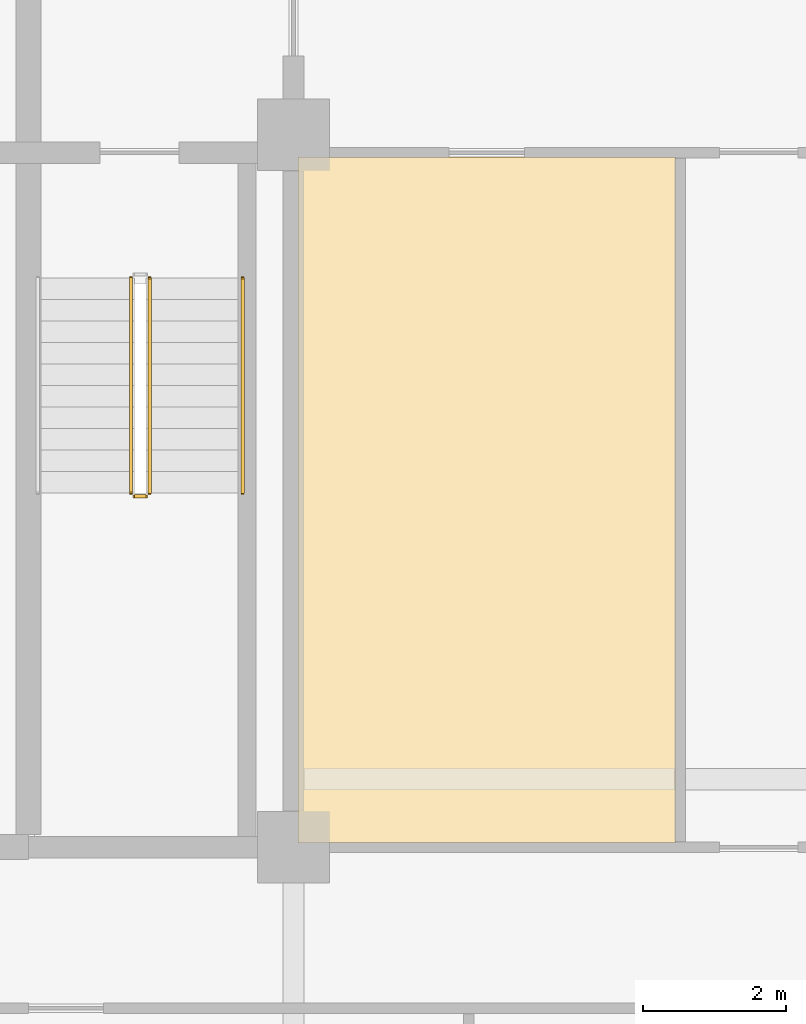
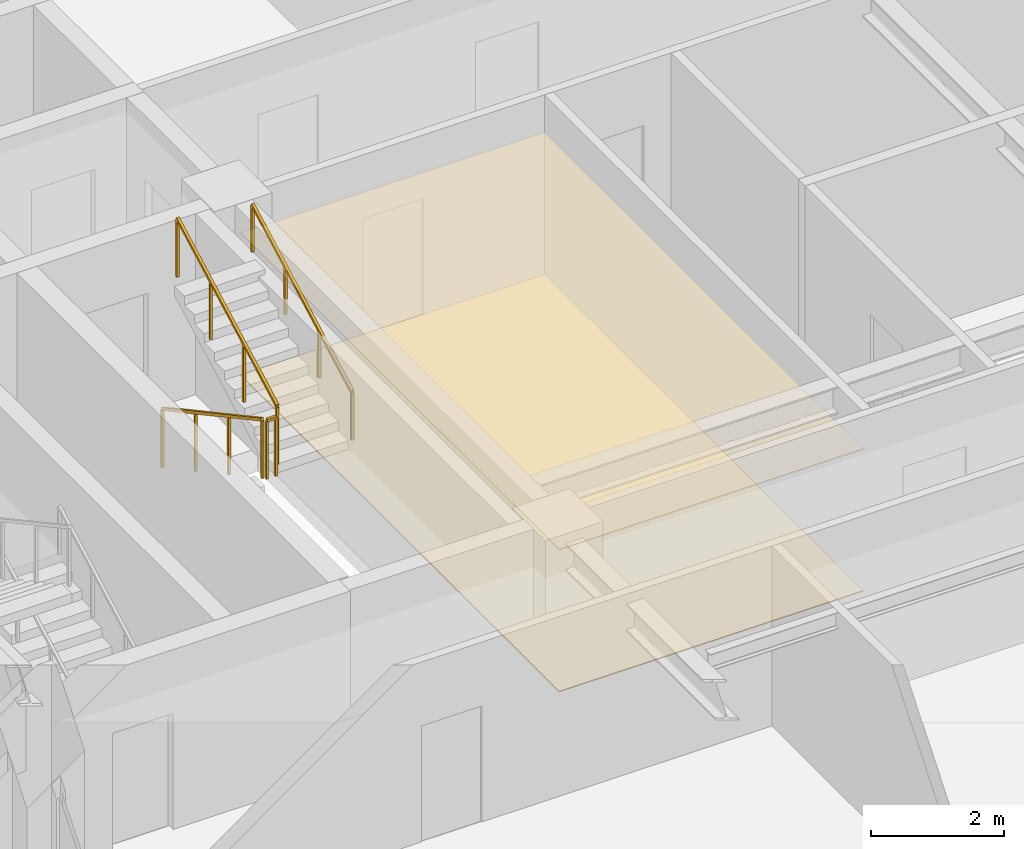
# One storey, part 13 of 17: 4 railings, 2 coverings.
"""IFC4 building model written with IfcOpenShell, lengths in metres."""

from ifc_helpers import new_model, si_unit, direction, frame, origin, origin_2d, place, context, subcontext, project, spatial, polyline, rectangle, outline, extrude, material, layer, layer_set, type_object, element, save


model = new_model("IFC4")

# Units and contexts
model_context = context("Model", 3, precision=1e-05, world=origin(), true_north=direction((0.0, 1.0)))
body_context = subcontext(model_context, "Body", "Model", "MODEL_VIEW")
ifc_project = project(units=[si_unit("LENGTHUNIT", "METRE"), si_unit("AREAUNIT", "SQUARE_METRE"), si_unit("VOLUMEUNIT", "CUBIC_METRE"), si_unit("PLANEANGLEUNIT", "RADIAN"), si_unit("MASSUNIT", "GRAM", prefix="KILO")], contexts=[model_context])

# Site, building, storey
site_placement = place(None, origin())
site = spatial("IfcSite", under=ifc_project, at=site_placement, CompositionType="ELEMENT")
building_placement = place(site_placement, origin())
building = spatial("IfcBuilding", under=site, at=building_placement, Name="Zulmaris Gate Convention Tower", CompositionType="ELEMENT")
storey_placement = place(building_placement, frame((0.0, 0.0, 121.349853515625)))
storey = spatial("IfcBuildingStorey", under=building, at=storey_placement, Name="L30", CompositionType="ELEMENT", Elevation=121.349853515625)

# Coverings
ifc_material_1 = material(Name="Mineral Fibre Acoustic Ceiling Tile")
ifc_layer_1 = layer(ifc_material_1, 0.02001953125, Name="Mineral Fibre Acoustic Ceiling Tile")
ifc_layer_set_1 = layer_set([ifc_layer_1], Name="Mineral Fibre Acoustic Ceiling Tile")
covering_type_1 = type_object("IfcCoveringType", Name="CLG-ACOUSTIC-600", PredefinedType="CEILING", material=ifc_layer_set_1)
covering_1_placement = place(storey_placement, frame((0.0, 0.0, 2.60302734375)))
element("IfcCovering", 1, at=covering_1_placement, inside=storey, type_object=covering_type_1, Name="CLG-L30-R41", PredefinedType="CEILING", context=body_context, shape_type="SweptSolid", body=[
    extrude(outline(polyline([(-10.93994140625, -9.889892578125), (-5.659912109375, -9.889892578125), (-5.659912109375, -0.31005859375), (-10.93994140625, -0.31005859375), (-10.93994140625, -9.889892578125)])), origin(), (0.0, 0.0, 1.0), 0.02001953125),
])
ifc_material_2 = material(Name="Woven Acoustic Wool Carpet Tile")
ifc_layer_2 = layer(ifc_material_2, 0.02001953125, Name="Woven Acoustic Wool Carpet Tile")
ifc_layer_set_2 = layer_set([ifc_layer_2], Name="Woven Acoustic Wool Carpet Tile")
covering_type_2 = type_object("IfcCoveringType", Name="FLR-CARPET-12", PredefinedType="FLOORING", material=ifc_layer_set_2)
covering_2_placement = place(storey_placement, origin())
element("IfcCovering", 2, at=covering_2_placement, inside=storey, type_object=covering_type_2, Name="FLR-L30-R41", PredefinedType="FLOORING", context=body_context, shape_type="SweptSolid", body=[
    extrude(outline(polyline([(-10.93994140625, -9.889892578125), (-5.659912109375, -9.889892578125), (-5.659912109375, -0.31005859375), (-10.93994140625, -0.31005859375), (-10.93994140625, -9.889892578125)])), origin(), (0.0, 0.0, 1.0), 0.02001953125),
])

# Railings
ifc_material_3 = material(Name="Painted Galvanised Steel", Category="steel")
railing_type_1 = type_object("IfcRailingType", Name="RL-STG-1150", PredefinedType="GUARDRAIL", material=ifc_material_3)
railing_1_placement = place(storey_placement, frame((-13.27001953125, -2.0, 0.162353515625)))
element("IfcRailing", 3, at=railing_1_placement, inside=storey, type_object=railing_type_1, Name="L30 ST-1 stair guard 1", PredefinedType="GUARDRAIL", context=body_context, shape_type="SweptSolid", body=[
    extrude(rectangle(XDim=0.048095703125, YDim=0.048095703125, at=origin_2d()), frame((0.0, 0.0, 1.076171875), z_axis=(0.0, -0.8795616155, 0.475784998228), x_axis=(1.0, 0.0, 0.0)), (0.0, 0.0, 1.0), 3.410888671875),
    extrude(rectangle(XDim=0.0419921875, YDim=0.0419921875, at=origin_2d()), origin(), (0.0, 0.0, 1.0), 1.052001953125),
    extrude(rectangle(XDim=0.0419921875, YDim=0.0419921875, at=origin_2d()), frame((0.0, -1.0, 0.541015625)), (0.0, 0.0, 1.0), 1.052001953125),
    extrude(rectangle(XDim=0.0419921875, YDim=0.0419921875, at=origin_2d()), frame((0.0, -2.0, 1.081787109375)), (0.0, 0.0, 1.0), 1.052001953125),
    extrude(rectangle(XDim=0.0419921875, YDim=0.0419921875, at=origin_2d()), frame((0.0, -3.0, 1.622802734375)), (0.0, 0.0, 1.0), 1.052001953125),
])
railing_2_placement = place(storey_placement, frame((-13.219970703125, -5.050048828125, 1.78515625)))
element("IfcRailing", 4, at=railing_2_placement, inside=storey, type_object=railing_type_1, Name="L30 ST-1 stair guard 2", PredefinedType="GUARDRAIL", context=body_context, shape_type="SweptSolid", body=[
    extrude(rectangle(XDim=0.048095703125, YDim=0.048095703125, at=origin_2d()), frame((0.0, 0.0, 1.076171875), z_axis=(1.0, 0.0, 0.0), x_axis=(0.0, 1.0, 0.0)), (0.0, 0.0, 1.0), 0.159912109375),
    extrude(rectangle(XDim=0.0419921875, YDim=0.0419921875, at=origin_2d()), origin(), (0.0, 0.0, 1.0), 1.052001953125),
    extrude(rectangle(XDim=0.0419921875, YDim=0.0419921875, at=origin_2d()), frame((0.159912109375, 0.0, 0.0)), (0.0, 0.0, 1.0), 1.052001953125),
])
railing_3_placement = place(storey_placement, frame((-13.010009765625, -5.0, 1.947265625)))
element("IfcRailing", 5, at=railing_3_placement, inside=storey, type_object=railing_type_1, Name="L30 ST-1 stair guard 3", PredefinedType="GUARDRAIL", context=body_context, shape_type="SweptSolid", body=[
    extrude(rectangle(XDim=0.048095703125, YDim=0.048095703125, at=origin_2d()), frame((0.0, 0.0, 1.076171875), z_axis=(0.0, 0.8795616155, 0.475784998228), x_axis=(-1.0, 0.0, 0.0)), (0.0, 0.0, 1.0), 3.410888671875),
    extrude(rectangle(XDim=0.0419921875, YDim=0.0419921875, at=origin_2d()), origin(), (0.0, 0.0, 1.0), 1.052001953125),
    extrude(rectangle(XDim=0.0419921875, YDim=0.0419921875, at=origin_2d()), frame((0.0, 1.0, 0.541015625)), (0.0, 0.0, 1.0), 1.052001953125),
    extrude(rectangle(XDim=0.0419921875, YDim=0.0419921875, at=origin_2d()), frame((0.0, 2.0, 1.081787109375)), (0.0, 0.0, 1.0), 1.052001953125),
    extrude(rectangle(XDim=0.0419921875, YDim=0.0419921875, at=origin_2d()), frame((0.0, 3.0, 1.622802734375)), (0.0, 0.0, 1.0), 1.052001953125),
])
ifc_material_4 = material(Name="Brushed Stainless Steel", Category="steel")
railing_type_2 = type_object("IfcRailingType", Name="RL-STH-900", PredefinedType="HANDRAIL", material=ifc_material_4)
railing_4_placement = place(storey_placement, frame((-11.7099609375, -5.0, 1.947265625)))
element("IfcRailing", 6, at=railing_4_placement, inside=storey, type_object=railing_type_2, Name="L30 ST-1 stair handrail 2", PredefinedType="HANDRAIL", context=body_context, shape_type="SweptSolid", body=[
    extrude(rectangle(XDim=0.048095703125, YDim=0.048095703125, at=origin_2d()), frame((0.0, 0.0, 0.8759765625), z_axis=(0.0, 0.8795616155, 0.475784998228), x_axis=(-1.0, 0.0, 0.0)), (0.0, 0.0, 1.0), 3.410888671875),
    extrude(rectangle(XDim=0.0419921875, YDim=0.0419921875, at=origin_2d()), origin(), (0.0, 0.0, 1.0), 0.851806640625),
    extrude(rectangle(XDim=0.0419921875, YDim=0.0419921875, at=origin_2d()), frame((0.0, 1.0, 0.541015625)), (0.0, 0.0, 1.0), 0.851806640625),
    extrude(rectangle(XDim=0.0419921875, YDim=0.0419921875, at=origin_2d()), frame((0.0, 2.0, 1.081787109375)), (0.0, 0.0, 1.0), 0.851806640625),
    extrude(rectangle(XDim=0.0419921875, YDim=0.0419921875, at=origin_2d()), frame((0.0, 3.0, 1.622802734375)), (0.0, 0.0, 1.0), 0.851806640625),
])

save(model, "model.ifc")
